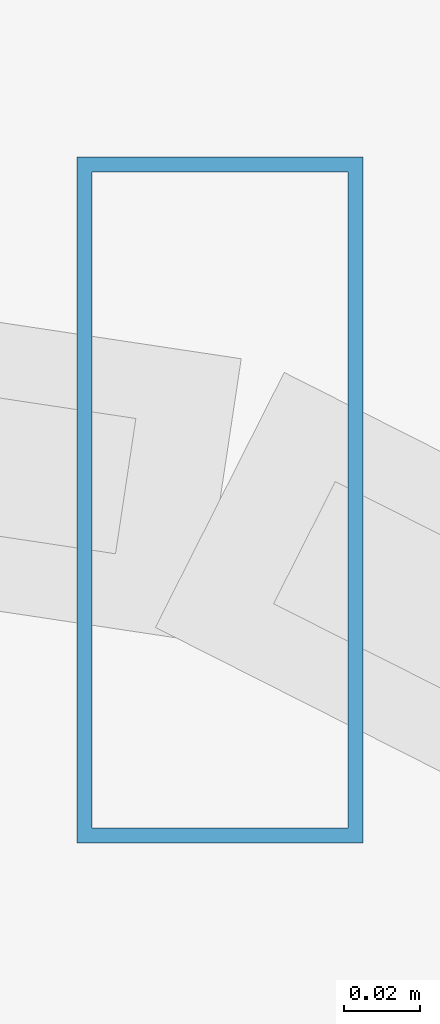
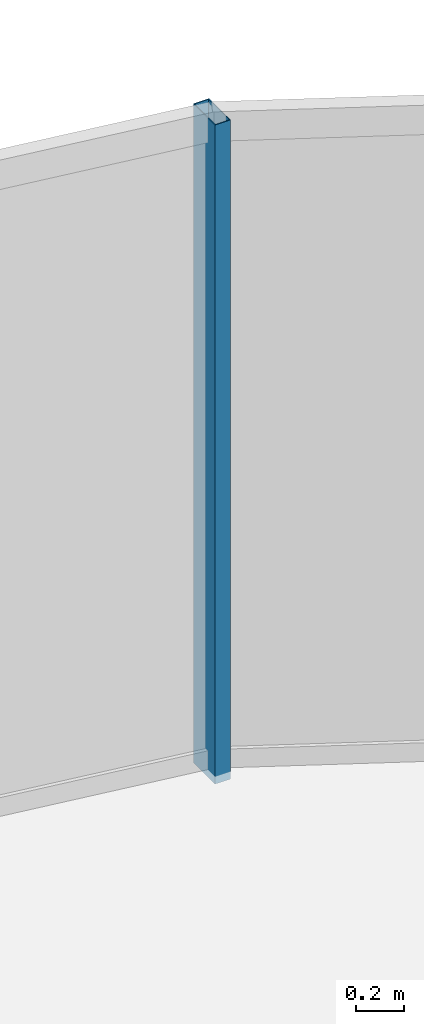
# One storey, part 20 of 32: 1 member, 1 element without a shape of its own.
"""IFC4 building model written with IfcOpenShell, lengths in metres."""

from ifc_helpers import new_model, si_unit, direction, frame, origin, origin_2d, place, context, subcontext, project, spatial, hollow_rectangle, extrude, material, material_profile, profile_set, type_object, element, aggregate, save


model = new_model("IFC4")

# Units and contexts
model_context = context("Model", 3, precision=1e-05, world=origin(), true_north=direction((0.0, 1.0)))
body_context = subcontext(model_context, "Body", "Model", "MODEL_VIEW")
ifc_project = project(units=[si_unit("LENGTHUNIT", "METRE"), si_unit("AREAUNIT", "SQUARE_METRE"), si_unit("VOLUMEUNIT", "CUBIC_METRE"), si_unit("PLANEANGLEUNIT", "RADIAN"), si_unit("MASSUNIT", "GRAM", prefix="KILO")], contexts=[model_context])

# Site, building, storey
site_placement = place(None, origin())
site = spatial("IfcSite", under=ifc_project, at=site_placement, CompositionType="ELEMENT")
building_placement = place(site_placement, origin())
building = spatial("IfcBuilding", under=site, at=building_placement, Name="Vorneva Point Tower", CompositionType="ELEMENT")
storey_placement = place(building_placement, frame((0.0, 0.0, 207.199951171875)))
storey = spatial("IfcBuildingStorey", under=building, at=storey_placement, Name="L56", CompositionType="ELEMENT", Elevation=207.199951171875)

# Curtain wall, member
ifc_material = material(Name="Pale anodised aluminium", Category="aluminium")
curtain_wall_type = type_object("IfcCurtainWallType", Name="CW-RES-SYS", PredefinedType="NOTDEFINED", material=ifc_material)
curtain_wall_placement = place(storey_placement, origin())
curtain_wall = element("IfcCurtainWall", 1, at=curtain_wall_placement, inside=storey, type_object=curtain_wall_type, Name="L56 Unitised Curtain Wall CW-L56-R01", PredefinedType="NOTDEFINED")
ifc_material_profile = material_profile(ifc_material, hollow_rectangle(XDim=0.074951171875, YDim=0.179931640625, WallThickness=0.00390625, at=origin_2d()), Name="AL-MUL 180x75x4")
ifc_profile_set = profile_set([ifc_material_profile], Name="Pale anodised aluminium")
member_type = type_object("IfcMemberType", Name="CW-MUL-180", PredefinedType="MULLION", material=ifc_profile_set)
member_placement = place(storey_placement, frame((48.80322265625, 45.724853515625, -0.0400390625), z_axis=(0.0, 0.0, 1.0), x_axis=(1.0, 0.0, 0.0)))
member = element("IfcMember", 2, at=member_placement, type_object=member_type, Name="CW-L56-R01 Mullion 03", PredefinedType="MULLION", context=body_context, shape_type="SweptSolid", body=[
    extrude(hollow_rectangle(XDim=0.074951171875, YDim=0.179931640625, WallThickness=0.00390625, at=origin_2d()), origin(), (0.0, 0.0, 1.0), 3.360107421875),
])
aggregate(curtain_wall, [member])

save(model, "model.ifc")
